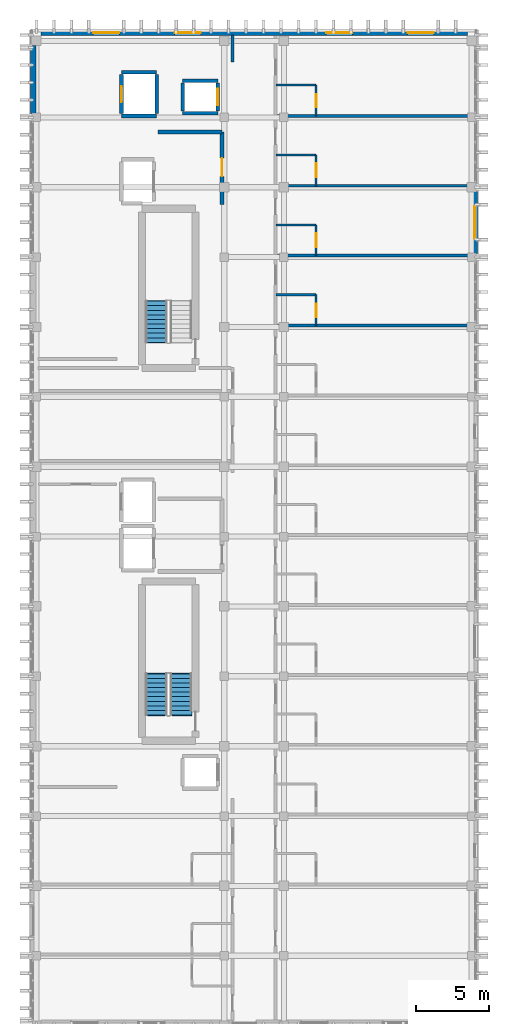
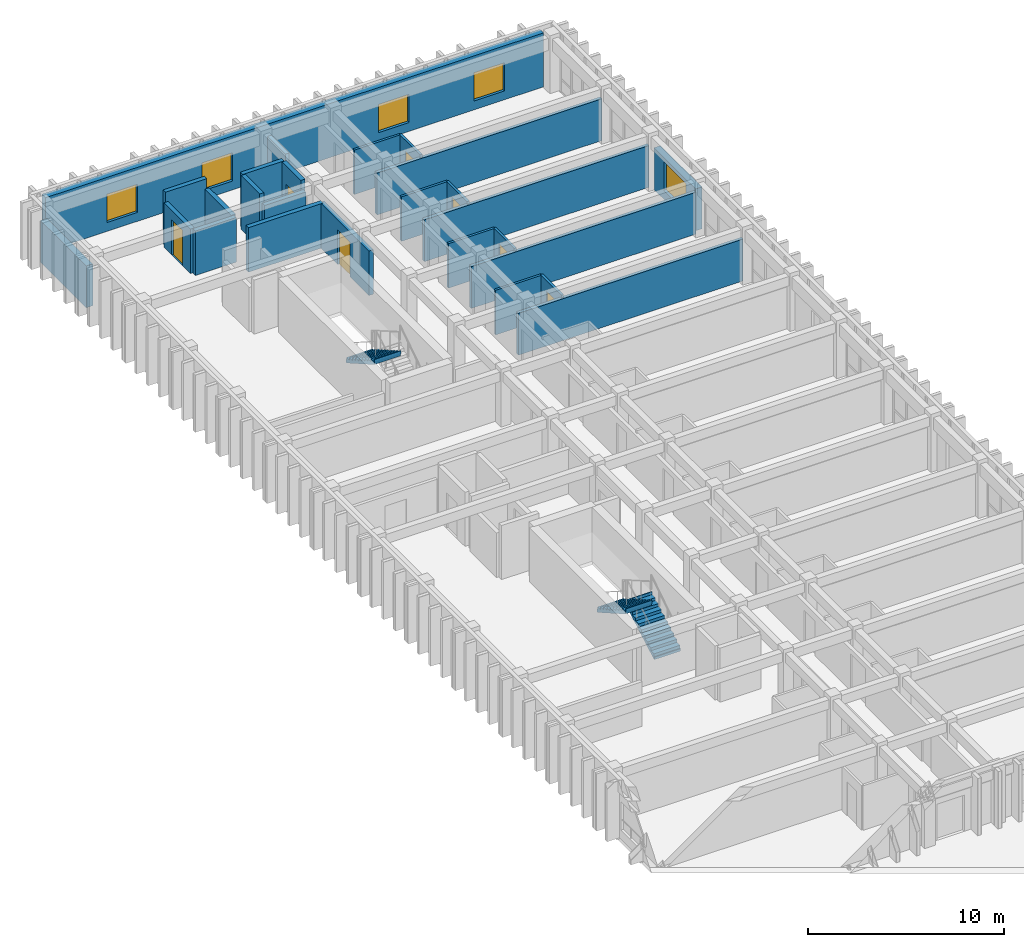
# One storey, part 43 of 49: 26 walls, 7 doors, 5 windows, 3 stair flights, 12 openings, 2 elements without a shape of their own.
"""IFC4 building model written with IfcOpenShell, lengths in metres."""

from ifc_helpers import new_model, si_unit, direction, frame, frame_2d, origin, place, context, subcontext, project, spatial, polyline, rectangle, outline, extrude, material, layer, layer_set, type_object, element, fill, aggregate, save


model = new_model("IFC4")

# Units and contexts
model_context = context("Model", 3, precision=1e-05, world=origin(), true_north=direction((0.0, 1.0)))
body_context = subcontext(model_context, "Body", "Model", "MODEL_VIEW")
ifc_project = project(units=[si_unit("LENGTHUNIT", "METRE"), si_unit("AREAUNIT", "SQUARE_METRE"), si_unit("VOLUMEUNIT", "CUBIC_METRE"), si_unit("PLANEANGLEUNIT", "RADIAN"), si_unit("MASSUNIT", "GRAM", prefix="KILO")], contexts=[model_context])

# Site, building, storey
site_placement = place(None, origin())
site = spatial("IfcSite", under=ifc_project, at=site_placement, CompositionType="ELEMENT")
building_placement = place(site_placement, origin())
building = spatial("IfcBuilding", under=site, at=building_placement, Name="Nakhvara Creek Congress Hotel", CompositionType="ELEMENT")
storey_placement = place(building_placement, frame((0.0, 0.0, 39.0)))
storey = spatial("IfcBuildingStorey", under=building, at=storey_placement, Name="L09", CompositionType="ELEMENT", Elevation=39.0)

# Wall
ifc_material_1 = material(Name="Gypsum acoustic board on steel stud", Category="steel")
ifc_layer_1 = layer(ifc_material_1, 0.219970703125)
ifc_layer_set_1 = layer_set([ifc_layer_1], Name="Gypsum acoustic board on steel stud")
wall_type_1 = type_object("IfcWallType", Name="W-CORR-220", PredefinedType="PARTITIONING", material=ifc_layer_set_1)
wall_1_placement = place(storey_placement, frame((162.919921875, 123.800048828125, 0.0), z_axis=(0.0, 0.0, 1.0), x_axis=(0.0, 1.0, 0.0)))
element("IfcWall", 1, at=wall_1_placement, inside=storey, type_object=wall_type_1, Name="Interior Wall WP11-IW-L09-0648", PredefinedType="PARTITIONING", context=body_context, shape_type="SweptSolid", body=[
    extrude(rectangle(XDim=1.849853515625, YDim=0.219970703125, at=frame_2d((0.9248046875, 0.0))), origin(), (0.0, 0.0, 1.0), 2.60205078125),
])

# Wall, opening, door
ifc_material_2 = material(Name="Moisture-resistant gypsum board partition")
ifc_layer_2 = layer(ifc_material_2, 0.139892578125)
ifc_layer_set_2 = layer_set([ifc_layer_2], Name="Moisture-resistant gypsum board partition")
wall_type_2 = type_object("IfcWallType", Name="W-ENS-140", PredefinedType="PARTITIONING", material=ifc_layer_set_2)
wall_2_placement = place(storey_placement, frame((168.669921875, 105.699951171875, 0.0), z_axis=(0.0, 0.0, 1.0), x_axis=(0.0, 1.0, 0.0)))
wall_2 = element("IfcWall", 2, at=wall_2_placement, inside=storey, type_object=wall_type_2, Name="Interior Wall WP15-IW-L09-0690", PredefinedType="PARTITIONING", context=body_context, shape_type="SweptSolid", body=[
    extrude(rectangle(XDim=2.115966796875, YDim=0.139892578125, at=frame_2d((1.05810546875, 0.0))), origin(), (0.0, 0.0, 1.0), 2.77197265625),
])
opening_1_placement = place(wall_2_placement, frame((0.5830078125, 0.0, 0.0)))
opening_1 = element("IfcOpeningElement", 3, at=opening_1_placement, cuts=wall_2, Name="Opening ID01", PredefinedType="OPENING", context=body_context, shape_type="SweptSolid", body=[
    extrude(rectangle(XDim=0.919921875, YDim=2.10009765625, at=frame_2d((0.4599609375, 1.050048828125))), frame((0.0, 0.08203125, 0.0), z_axis=(0.0, -1.0, 0.0), x_axis=(1.0, 0.0, 0.0)), (0.0, 0.0, 1.0), 0.163818359375),
])
ifc_material_3 = material(Name="Moisture-resistant walnut timber door", Category="wood")
door_type_1 = type_object("IfcDoorType", Name="DT-ENS-092", OperationType="NOTDEFINED", PredefinedType="DOOR", material=ifc_material_3)
door_1_placement = place(opening_1_placement, frame((0.919921875, 0.0, 0.0), z_axis=(0.0, 0.0, 1.0), x_axis=(-1.0, 0.0, 0.0)))
door_1 = element("IfcDoor", 4, at=door_1_placement, inside=storey, type_object=door_type_1, Name="Interior Door ID01-0503", OperationType="SINGLE_SWING_RIGHT", OverallHeight=2.10009765625, OverallWidth=0.919921875, PredefinedType="DOOR", context=body_context, shape_type="SweptSolid", body=[
    extrude(rectangle(XDim=0.919921875, YDim=2.10009765625, at=frame_2d((0.4599609375, 1.050048828125))), frame((0.0, 0.02490234375, 0.0), z_axis=(0.0, -1.0, 0.0), x_axis=(1.0, 0.0, 0.0)), (0.0, 0.0, 1.0), 0.050048828125),
])
fill(opening_1, door_1)

# Wall
wall_3_placement = place(storey_placement, frame((165.919921875, 107.81591796875, 0.0), z_axis=(0.0, 0.0, 1.0), x_axis=(1.0, 0.0, 0.0)))
element("IfcWall", 5, at=wall_3_placement, inside=storey, type_object=wall_type_2, Name="Interior Wall WP15-IW-L09-0691", PredefinedType="PARTITIONING", context=body_context, shape_type="SweptSolid", body=[
    extrude(rectangle(XDim=2.75, YDim=0.139892578125, at=frame_2d((1.375, 0.0))), origin(), (0.0, 0.0, 1.0), 2.77197265625),
])

# Wall, opening, door
wall_4_placement = place(storey_placement, frame((168.669921875, 110.5, 0.0), z_axis=(0.0, 0.0, 1.0), x_axis=(0.0, 1.0, 0.0)))
wall_4 = element("IfcWall", 6, at=wall_4_placement, inside=storey, type_object=wall_type_2, Name="Interior Wall WP15-IW-L09-0693", PredefinedType="PARTITIONING", context=body_context, shape_type="SweptSolid", body=[
    extrude(rectangle(XDim=2.115966796875, YDim=0.139892578125, at=frame_2d((1.05810546875, 0.0))), origin(), (0.0, 0.0, 1.0), 2.77197265625),
])
opening_2_placement = place(wall_4_placement, frame((0.5830078125, 0.0, 0.0)))
opening_2 = element("IfcOpeningElement", 7, at=opening_2_placement, cuts=wall_4, Name="Opening ID02", PredefinedType="OPENING", context=body_context, shape_type="SweptSolid", body=[
    extrude(rectangle(XDim=0.9599609375, YDim=2.1201171875, at=frame_2d((0.47998046875, 1.06005859375))), frame((0.0, 0.08203125, 0.0), z_axis=(0.0, -1.0, 0.0), x_axis=(1.0, 0.0, 0.0)), (0.0, 0.0, 1.0), 0.163818359375),
])
door_type_2 = type_object("IfcDoorType", Name="DT-ENS-096", OperationType="NOTDEFINED", PredefinedType="DOOR", material=ifc_material_3)
door_2_placement = place(opening_2_placement, frame((0.9599609375, 0.0, 0.0), z_axis=(0.0, 0.0, 1.0), x_axis=(-1.0, 0.0, 0.0)))
door_2 = element("IfcDoor", 8, at=door_2_placement, inside=storey, type_object=door_type_2, Name="Interior Door ID02-0505", OperationType="SINGLE_SWING_RIGHT", OverallHeight=2.1201171875, OverallWidth=0.9599609375, PredefinedType="DOOR", context=body_context, shape_type="SweptSolid", body=[
    extrude(rectangle(XDim=0.9599609375, YDim=2.1201171875, at=frame_2d((0.47998046875, 1.06005859375))), frame((0.0, 0.02490234375, 0.0), z_axis=(0.0, -1.0, 0.0), x_axis=(1.0, 0.0, 0.0)), (0.0, 0.0, 1.0), 0.050048828125),
])
fill(opening_2, door_2)

# Wall
wall_5_placement = place(storey_placement, frame((165.919921875, 112.615966796875, 0.0), z_axis=(0.0, 0.0, 1.0), x_axis=(1.0, 0.0, 0.0)))
element("IfcWall", 9, at=wall_5_placement, inside=storey, type_object=wall_type_2, Name="Interior Wall WP15-IW-L09-0694", PredefinedType="PARTITIONING", context=body_context, shape_type="SweptSolid", body=[
    extrude(rectangle(XDim=2.75, YDim=0.139892578125, at=frame_2d((1.375, 0.0))), origin(), (0.0, 0.0, 1.0), 2.77197265625),
])

# Wall, opening, door
wall_6_placement = place(storey_placement, frame((168.669921875, 115.300048828125, 0.0), z_axis=(0.0, 0.0, 1.0), x_axis=(0.0, 1.0, 0.0)))
wall_6 = element("IfcWall", 10, at=wall_6_placement, inside=storey, type_object=wall_type_2, Name="Interior Wall WP15-IW-L09-0696", PredefinedType="PARTITIONING", context=body_context, shape_type="SweptSolid", body=[
    extrude(rectangle(XDim=2.115966796875, YDim=0.139892578125, at=frame_2d((1.05810546875, 0.0))), origin(), (0.0, 0.0, 1.0), 2.77197265625),
])
opening_3_placement = place(wall_6_placement, frame((0.5830078125, 0.0, 0.0)))
opening_3 = element("IfcOpeningElement", 11, at=opening_3_placement, cuts=wall_6, Name="Opening ID02", PredefinedType="OPENING", context=body_context, shape_type="SweptSolid", body=[
    extrude(rectangle(XDim=0.9599609375, YDim=2.1201171875, at=frame_2d((0.47998046875, 1.06005859375))), frame((0.0, 0.08203125, 0.0), z_axis=(0.0, -1.0, 0.0), x_axis=(1.0, 0.0, 0.0)), (0.0, 0.0, 1.0), 0.163818359375),
])
door_3_placement = place(opening_3_placement, frame((0.9599609375, 0.0, 0.0), z_axis=(0.0, 0.0, 1.0), x_axis=(-1.0, 0.0, 0.0)))
door_3 = element("IfcDoor", 12, at=door_3_placement, inside=storey, type_object=door_type_2, Name="Interior Door ID02-0507", OperationType="SINGLE_SWING_RIGHT", OverallHeight=2.1201171875, OverallWidth=0.9599609375, PredefinedType="DOOR", context=body_context, shape_type="SweptSolid", body=[
    extrude(rectangle(XDim=0.9599609375, YDim=2.1201171875, at=frame_2d((0.47998046875, 1.06005859375))), frame((0.0, 0.02490234375, 0.0), z_axis=(0.0, -1.0, 0.0), x_axis=(1.0, 0.0, 0.0)), (0.0, 0.0, 1.0), 0.050048828125),
])
fill(opening_3, door_3)

# Wall
wall_7_placement = place(storey_placement, frame((165.919921875, 117.416015625, 0.0), z_axis=(0.0, 0.0, 1.0), x_axis=(1.0, 0.0, 0.0)))
element("IfcWall", 13, at=wall_7_placement, inside=storey, type_object=wall_type_2, Name="Interior Wall WP15-IW-L09-0697", PredefinedType="PARTITIONING", context=body_context, shape_type="SweptSolid", body=[
    extrude(rectangle(XDim=2.75, YDim=0.139892578125, at=frame_2d((1.375, 0.0))), origin(), (0.0, 0.0, 1.0), 2.77197265625),
])

# Wall, opening, door
wall_8_placement = place(storey_placement, frame((168.669921875, 120.10009765625, 0.0), z_axis=(0.0, 0.0, 1.0), x_axis=(0.0, 1.0, 0.0)))
wall_8 = element("IfcWall", 14, at=wall_8_placement, inside=storey, type_object=wall_type_2, Name="Interior Wall WP15-IW-L09-0699", PredefinedType="PARTITIONING", context=body_context, shape_type="SweptSolid", body=[
    extrude(rectangle(XDim=2.115966796875, YDim=0.139892578125, at=frame_2d((1.05810546875, 0.0))), origin(), (0.0, 0.0, 1.0), 2.77197265625),
])
opening_4_placement = place(wall_8_placement, frame((0.5830078125, 0.0, 0.0)))
opening_4 = element("IfcOpeningElement", 15, at=opening_4_placement, cuts=wall_8, Name="Opening ID01", PredefinedType="OPENING", context=body_context, shape_type="SweptSolid", body=[
    extrude(rectangle(XDim=0.919921875, YDim=2.10009765625, at=frame_2d((0.4599609375, 1.050048828125))), frame((0.0, 0.08203125, 0.0), z_axis=(0.0, -1.0, 0.0), x_axis=(1.0, 0.0, 0.0)), (0.0, 0.0, 1.0), 0.163818359375),
])
door_4_placement = place(opening_4_placement, frame((0.919921875, 0.0, 0.0), z_axis=(0.0, 0.0, 1.0), x_axis=(-1.0, 0.0, 0.0)))
door_4 = element("IfcDoor", 16, at=door_4_placement, inside=storey, type_object=door_type_1, Name="Interior Door ID01-0509", OperationType="SINGLE_SWING_RIGHT", OverallHeight=2.10009765625, OverallWidth=0.919921875, PredefinedType="DOOR", context=body_context, shape_type="SweptSolid", body=[
    extrude(rectangle(XDim=0.919921875, YDim=2.10009765625, at=frame_2d((0.4599609375, 1.050048828125))), frame((0.0, 0.02490234375, 0.0), z_axis=(0.0, -1.0, 0.0), x_axis=(1.0, 0.0, 0.0)), (0.0, 0.0, 1.0), 0.050048828125),
])
fill(opening_4, door_4)

# Wall
wall_9_placement = place(storey_placement, frame((165.919921875, 122.216064453125, 0.0), z_axis=(0.0, 0.0, 1.0), x_axis=(1.0, 0.0, 0.0)))
element("IfcWall", 17, at=wall_9_placement, inside=storey, type_object=wall_type_2, Name="Interior Wall WP15-IW-L09-0700", PredefinedType="PARTITIONING", context=body_context, shape_type="SweptSolid", body=[
    extrude(rectangle(XDim=2.75, YDim=0.139892578125, at=frame_2d((1.375, 0.0))), origin(), (0.0, 0.0, 1.0), 2.77197265625),
])

# Wall, openings, windows
ifc_material_4 = material(Name="Honed pale Omani limestone cladding", Category="masonry")
ifc_layer_3 = layer(ifc_material_4, 0.050048828125)
ifc_material_5 = material(Name="Mineral wool thermal insulation")
ifc_layer_4 = layer(ifc_material_5, 0.110107421875)
ifc_material_6 = material(Name="Precast concrete C40/50", Category="concrete")
ifc_layer_5 = layer(ifc_material_6, 0.219970703125)
ifc_layer_set_3 = layer_set([ifc_layer_3, ifc_layer_4, ifc_layer_5], Name="Precast concrete C40/50")
wall_type_3 = type_object("IfcWallType", Name="W-EXT-380", PredefinedType="SOLIDWALL", material=ifc_layer_set_3)
wall_10_placement = place(storey_placement, frame((149.75, 125.81005859375, 0.0), z_axis=(0.0, 0.0, 1.0), x_axis=(1.0, 0.0, 0.0)))
wall_10 = element("IfcWall", 18, at=wall_10_placement, inside=storey, type_object=wall_type_3, Name="Exterior Wall WE03-EW-L09-0200", PredefinedType="SOLIDWALL", context=body_context, shape_type="SweptSolid", body=[
    extrude(rectangle(XDim=29.300048828125, YDim=0.3798828125, at=frame_2d((14.64990234375, 0.0))), origin(), (0.0, 0.0, 1.0), 3.360107421875),
])
opening_5_placement = place(wall_10_placement, frame((3.60009765625, 0.0, 0.550048828125)))
opening_5 = element("IfcOpeningElement", 19, at=opening_5_placement, cuts=wall_10, Name="Opening WN0215", PredefinedType="OPENING", context=body_context, shape_type="SweptSolid", body=[
    extrude(rectangle(XDim=1.800048828125, YDim=1.760009765625, at=frame_2d((0.89990234375, 0.8798828125))), frame((0.0, 0.201904296875, 0.0), z_axis=(0.0, -1.0, 0.0), x_axis=(1.0, 0.0, 0.0)), (0.0, 0.0, 1.0), 0.40380859375),
])
opening_6_placement = place(wall_10_placement, frame((9.199951171875, 0.0, 0.550048828125)))
opening_6 = element("IfcOpeningElement", 20, at=opening_6_placement, cuts=wall_10, Name="Opening WN0216", PredefinedType="OPENING", context=body_context, shape_type="SweptSolid", body=[
    extrude(rectangle(XDim=1.800048828125, YDim=1.760009765625, at=frame_2d((0.89990234375, 0.8798828125))), frame((0.0, 0.201904296875, 0.0), z_axis=(0.0, -1.0, 0.0), x_axis=(1.0, 0.0, 0.0)), (0.0, 0.0, 1.0), 0.40380859375),
])
opening_7_placement = place(wall_10_placement, frame((19.60009765625, 0.0, 0.550048828125)))
opening_7 = element("IfcOpeningElement", 21, at=opening_7_placement, cuts=wall_10, Name="Opening WN0217", PredefinedType="OPENING", context=body_context, shape_type="SweptSolid", body=[
    extrude(rectangle(XDim=1.800048828125, YDim=1.760009765625, at=frame_2d((0.89990234375, 0.8798828125))), frame((0.0, 0.201904296875, 0.0), z_axis=(0.0, -1.0, 0.0), x_axis=(1.0, 0.0, 0.0)), (0.0, 0.0, 1.0), 0.40380859375),
])
opening_8_placement = place(wall_10_placement, frame((25.199951171875, 0.0, 0.550048828125)))
opening_8 = element("IfcOpeningElement", 22, at=opening_8_placement, cuts=wall_10, Name="Opening WN0218", PredefinedType="OPENING", context=body_context, shape_type="SweptSolid", body=[
    extrude(rectangle(XDim=1.800048828125, YDim=1.760009765625, at=frame_2d((0.89990234375, 0.8798828125))), frame((0.0, 0.201904296875, 0.0), z_axis=(0.0, -1.0, 0.0), x_axis=(1.0, 0.0, 0.0)), (0.0, 0.0, 1.0), 0.40380859375),
])
ifc_material_7 = material(Name="Thermally broken bronze-anodised aluminium and double-silver low-E insulated glass", Category="aluminium")
window_type_1 = type_object("IfcWindowType", Name="WN-LAN-180X225", PartitioningType="SINGLE_PANEL", PredefinedType="WINDOW", material=ifc_material_7)
window_1_placement = place(opening_5_placement, origin())
window_1 = element("IfcWindow", 23, at=window_1_placement, inside=storey, type_object=window_type_1, Name="Facade Window WN0215", OverallHeight=1.760009765625, OverallWidth=1.800048828125, PartitioningType="SINGLE_PANEL", PredefinedType="WINDOW", context=body_context, shape_type="SweptSolid", body=[
    extrude(rectangle(XDim=1.800048828125, YDim=1.760009765625, at=frame_2d((0.89990234375, 0.8798828125))), frame((0.0, 0.030029296875, 0.0), z_axis=(0.0, -1.0, 0.0), x_axis=(1.0, 0.0, 0.0)), (0.0, 0.0, 1.0), 0.06005859375),
])
fill(opening_5, window_1)
window_2_placement = place(opening_6_placement, origin())
window_2 = element("IfcWindow", 24, at=window_2_placement, inside=storey, type_object=window_type_1, Name="Facade Window WN0216", OverallHeight=1.760009765625, OverallWidth=1.800048828125, PartitioningType="SINGLE_PANEL", PredefinedType="WINDOW", context=body_context, shape_type="SweptSolid", body=[
    extrude(rectangle(XDim=1.800048828125, YDim=1.760009765625, at=frame_2d((0.89990234375, 0.8798828125))), frame((0.0, 0.030029296875, 0.0), z_axis=(0.0, -1.0, 0.0), x_axis=(1.0, 0.0, 0.0)), (0.0, 0.0, 1.0), 0.06005859375),
])
fill(opening_6, window_2)
window_3_placement = place(opening_7_placement, origin())
window_3 = element("IfcWindow", 25, at=window_3_placement, inside=storey, type_object=window_type_1, Name="Facade Window WN0217", OverallHeight=1.760009765625, OverallWidth=1.800048828125, PartitioningType="SINGLE_PANEL", PredefinedType="WINDOW", context=body_context, shape_type="SweptSolid", body=[
    extrude(rectangle(XDim=1.800048828125, YDim=1.760009765625, at=frame_2d((0.89990234375, 0.8798828125))), frame((0.0, 0.030029296875, 0.0), z_axis=(0.0, -1.0, 0.0), x_axis=(1.0, 0.0, 0.0)), (0.0, 0.0, 1.0), 0.06005859375),
])
fill(opening_7, window_3)
window_4_placement = place(opening_8_placement, origin())
window_4 = element("IfcWindow", 26, at=window_4_placement, inside=storey, type_object=window_type_1, Name="Facade Window WN0218", OverallHeight=1.760009765625, OverallWidth=1.800048828125, PartitioningType="SINGLE_PANEL", PredefinedType="WINDOW", context=body_context, shape_type="SweptSolid", body=[
    extrude(rectangle(XDim=1.800048828125, YDim=1.760009765625, at=frame_2d((0.89990234375, 0.8798828125))), frame((0.0, 0.030029296875, 0.0), z_axis=(0.0, -1.0, 0.0), x_axis=(1.0, 0.0, 0.0)), (0.0, 0.0, 1.0), 0.06005859375),
])
fill(opening_8, window_4)

# Wall, opening, window
wall_11_placement = place(storey_placement, frame((179.56005859375, 114.89990234375, 0.0), z_axis=(0.0, 0.0, 1.0), x_axis=(0.0, -1.0, 0.0)))
wall_11 = element("IfcWall", 27, at=wall_11_placement, inside=storey, type_object=wall_type_3, Name="Exterior Wall WE03-EW-L09-0209", PredefinedType="SOLIDWALL", context=body_context, shape_type="SweptSolid", body=[
    extrude(rectangle(XDim=4.23486328125, YDim=0.3798828125, at=frame_2d((2.117431640625, 0.0))), origin(), (0.0, 0.0, 1.0), 2.60205078125),
])
opening_9_placement = place(wall_11_placement, frame((0.992431640625, 0.0, 0.550048828125)))
opening_9 = element("IfcOpeningElement", 28, at=opening_9_placement, cuts=wall_11, Name="Opening WN0227", PredefinedType="OPENING", context=body_context, shape_type="SweptSolid", body=[
    extrude(rectangle(XDim=2.25, YDim=1.7900390625, at=frame_2d((1.125, 0.89501953125))), frame((0.0, 0.201904296875, 0.0), z_axis=(0.0, -1.0, 0.0), x_axis=(1.0, 0.0, 0.0)), (0.0, 0.0, 1.0), 0.40380859375),
])
window_type_2 = type_object("IfcWindowType", Name="WN-LAN-225X235", PartitioningType="SINGLE_PANEL", PredefinedType="WINDOW", material=ifc_material_7)
window_5_placement = place(opening_9_placement, origin())
window_5 = element("IfcWindow", 29, at=window_5_placement, inside=storey, type_object=window_type_2, Name="Facade Window WN0227", OverallHeight=1.7900390625, OverallWidth=2.25, PartitioningType="SINGLE_PANEL", PredefinedType="WINDOW", context=body_context, shape_type="SweptSolid", body=[
    extrude(rectangle(XDim=2.25, YDim=1.7900390625, at=frame_2d((1.125, 0.89501953125))), frame((0.0, 0.030029296875, 0.0), z_axis=(0.0, -1.0, 0.0), x_axis=(1.0, 0.0, 0.0)), (0.0, 0.0, 1.0), 0.06005859375),
])
fill(opening_9, window_5)

# Wall
wall_12_placement = place(storey_placement, frame((149.239990234375, 120.264892578125, 0.0), z_axis=(0.0, 0.0, 1.0), x_axis=(0.0, 1.0, 0.0)))
element("IfcWall", 30, at=wall_12_placement, inside=storey, type_object=wall_type_3, Name="Exterior Wall WE03-EW-L09-0210", PredefinedType="SOLIDWALL", context=body_context, shape_type="SweptSolid", body=[
    extrude(rectangle(XDim=4.68505859375, YDim=0.3798828125, at=frame_2d((2.342529296875, 0.0))), origin(), (0.0, 0.0, 1.0), 2.60205078125),
])

# Wall, opening, door
ifc_material_8 = material(Name="Concrete C40/50", Category="concrete")
ifc_layer_6 = layer(ifc_material_8, 0.260009765625)
ifc_layer_set_4 = layer_set([ifc_layer_6], Name="Concrete C40/50")
wall_type_4 = type_object("IfcWallType", Name="W-FFL-260", PredefinedType="SOLIDWALL", material=ifc_layer_set_4)
wall_13_placement = place(storey_placement, frame((162.199951171875, 114.0, 0.0), z_axis=(0.0, 0.0, 1.0), x_axis=(0.0, 1.0, 0.0)))
wall_13 = element("IfcWall", 31, at=wall_13_placement, inside=storey, type_object=wall_type_4, Name="Core Shear Wall WI03-CWALL-L09-0482", PredefinedType="SOLIDWALL", context=body_context, shape_type="SweptSolid", body=[
    extrude(rectangle(XDim=5.0, YDim=0.260009765625, at=frame_2d((2.5, 0.0))), origin(), (0.0, 0.0, 1.0), 2.77197265625),
])
opening_10_placement = place(wall_13_placement, frame((1.949951171875, 0.0, 0.0)))
opening_10 = element("IfcOpeningElement", 32, at=opening_10_placement, cuts=wall_13, Name="Opening FD05", PredefinedType="OPENING", context=body_context, shape_type="SweptSolid", body=[
    extrude(rectangle(XDim=1.25, YDim=2.14990234375, at=frame_2d((0.625, 1.074951171875))), frame((0.0, 0.14208984375, 0.0), z_axis=(0.0, -1.0, 0.0), x_axis=(1.0, 0.0, 0.0)), (0.0, 0.0, 1.0), 0.283935546875),
])
ifc_material_9 = material(Name="Hardwood-veneered steel fire door", Category="steel")
door_type_3 = type_object("IfcDoorType", Name="DT-FFL-125", OperationType="NOTDEFINED", PredefinedType="DOOR", material=ifc_material_9)
door_5_placement = place(opening_10_placement, origin())
door_5 = element("IfcDoor", 33, at=door_5_placement, inside=storey, type_object=door_type_3, Name="Firefighting Lobby Door C2-L09", OperationType="DOUBLE_DOOR_SINGLE_SWING", OverallHeight=2.14990234375, OverallWidth=1.25, PredefinedType="DOOR", context=body_context, shape_type="SweptSolid", body=[
    extrude(rectangle(XDim=1.25, YDim=2.14990234375, at=frame_2d((0.625, 1.074951171875))), frame((0.0, 0.02490234375, 0.0), z_axis=(0.0, -1.0, 0.0), x_axis=(1.0, 0.0, 0.0)), (0.0, 0.0, 1.0), 0.050048828125),
])
fill(opening_10, door_5)

# Walls
wall_14_placement = place(storey_placement, frame((157.800048828125, 119.0, 0.0), z_axis=(0.0, 0.0, 1.0), x_axis=(1.0, 0.0, 0.0)))
element("IfcWall", 34, at=wall_14_placement, inside=storey, type_object=wall_type_4, Name="Core Shear Wall WI03-CWALL-L09-0483", PredefinedType="SOLIDWALL", context=body_context, shape_type="SweptSolid", body=[
    extrude(rectangle(XDim=4.39990234375, YDim=0.260009765625, at=frame_2d((2.199951171875, 0.0))), origin(), (0.0, 0.0, 1.0), 2.77197265625),
])
ifc_layer_7 = layer(ifc_material_1, 0.199951171875)
ifc_layer_set_5 = layer_set([ifc_layer_7], Name="Gypsum acoustic board on steel stud")
wall_type_5 = type_object("IfcWallType", Name="W-PART-200", PredefinedType="PARTITIONING", material=ifc_layer_set_5)
for number, where, z_axis, x_axis, name in (
    (35, (166.02001953125, 105.699951171875, 0.0), (0.0, 0.0, 1.0), (1.0, 0.0, 0.0), "Interior Wall WP12-IW-L09-0689"),
    (36, (166.02001953125, 110.5, 0.0), (0.0, 0.0, 1.0), (1.0, 0.0, 0.0), "Interior Wall WP12-IW-L09-0692"),
    (37, (166.02001953125, 115.300048828125, 0.0), (0.0, 0.0, 1.0), (1.0, 0.0, 0.0), "Interior Wall WP12-IW-L09-0695"),
    (38, (166.02001953125, 120.10009765625, 0.0), (0.0, 0.0, 1.0), (1.0, 0.0, 0.0), "Interior Wall WP12-IW-L09-0698"),
):
    element("IfcWall", number, at=place(storey_placement, frame(where, z_axis=z_axis, x_axis=x_axis)), inside=storey, type_object=wall_type_5, Name=name, PredefinedType="PARTITIONING", context=body_context, shape_type="SweptSolid", body=[
        extrude(rectangle(XDim=13.22998046875, YDim=0.199951171875, at=frame_2d((6.614990234375, 0.0))), origin(), (0.0, 0.0, 1.0), 2.60205078125),
    ])
ifc_layer_8 = layer(ifc_material_8, 0.25)
ifc_layer_set_6 = layer_set([ifc_layer_8], Name="Concrete C40/50")
wall_type_6 = type_object("IfcWallType", Name="W-SHAFT-250", PredefinedType="SOLIDWALL", material=ifc_layer_set_6)
wall_15_placement = place(storey_placement, frame((159.489990234375, 120.2900390625, 0.0), z_axis=(0.0, 0.0, 1.0), x_axis=(1.0, 0.0, 0.0)))
element("IfcWall", 39, at=wall_15_placement, inside=storey, type_object=wall_type_6, Name="Core Shear Wall WI02-CWALL-L09-0474", PredefinedType="SOLIDWALL", context=body_context, shape_type="SweptSolid", body=[
    extrude(rectangle(XDim=2.419921875, YDim=0.25, at=frame_2d((1.2099609375, 0.0))), origin(), (0.0, 0.0, 1.0), 2.77197265625),
])
wall_16_placement = place(storey_placement, frame((159.489990234375, 122.510009765625, 0.0), z_axis=(0.0, 0.0, 1.0), x_axis=(1.0, 0.0, 0.0)))
element("IfcWall", 40, at=wall_16_placement, inside=storey, type_object=wall_type_6, Name="Core Shear Wall WI02-CWALL-L09-0475", PredefinedType="SOLIDWALL", context=body_context, shape_type="SweptSolid", body=[
    extrude(rectangle(XDim=2.419921875, YDim=0.25, at=frame_2d((1.2099609375, 0.0))), origin(), (0.0, 0.0, 1.0), 3.360107421875),
])
wall_17_placement = place(storey_placement, frame((159.489990234375, 120.449951171875, 0.0), z_axis=(0.0, 0.0, 1.0), x_axis=(0.0, 1.0, 0.0)))
element("IfcWall", 41, at=wall_17_placement, inside=storey, type_object=wall_type_6, Name="Core Shear Wall WI02-CWALL-L09-0476", PredefinedType="SOLIDWALL", context=body_context, shape_type="SweptSolid", body=[
    extrude(rectangle(XDim=1.900146484375, YDim=0.25, at=frame_2d((0.9501953125, 0.0))), origin(), (0.0, 0.0, 1.0), 3.360107421875),
])

# Wall, opening, door
wall_18_placement = place(storey_placement, frame((161.909912109375, 120.449951171875, 0.0), z_axis=(0.0, 0.0, 1.0), x_axis=(0.0, 1.0, 0.0)))
wall_18 = element("IfcWall", 42, at=wall_18_placement, inside=storey, type_object=wall_type_6, Name="Core Shear Wall WI02-CWALL-L09-0477", PredefinedType="SOLIDWALL", context=body_context, shape_type="SweptSolid", body=[
    extrude(rectangle(XDim=1.900146484375, YDim=0.25, at=frame_2d((0.9501953125, 0.0))), origin(), (0.0, 0.0, 1.0), 3.360107421875),
])
opening_11_placement = place(wall_18_placement, frame((0.39990234375, 0.0, 0.0)))
opening_11 = element("IfcOpeningElement", 43, at=opening_11_placement, cuts=wall_18, Name="Opening LD01", PredefinedType="OPENING", context=body_context, shape_type="SweptSolid", body=[
    extrude(rectangle(XDim=1.10009765625, YDim=2.199951171875, at=frame_2d((0.550048828125, 1.10009765625))), frame((0.0, 0.136962890625, 0.0), z_axis=(0.0, -1.0, 0.0), x_axis=(1.0, 0.0, 0.0)), (0.0, 0.0, 1.0), 0.27392578125),
])
ifc_material_10 = material(Name="Brushed stainless steel sliding landing door", Category="steel")
door_type_4 = type_object("IfcDoorType", Name="DT-LIFT-110", OperationType="DOUBLE_DOOR_SLIDING", PredefinedType="DOOR", material=ifc_material_10)
door_6_placement = place(opening_11_placement, origin())
door_6 = element("IfcDoor", 44, at=door_6_placement, inside=storey, type_object=door_type_4, Name="Landing Door PL01-L09", OperationType="SLIDING_TO_LEFT", OverallHeight=2.199951171875, OverallWidth=1.10009765625, PredefinedType="DOOR", context=body_context, shape_type="SweptSolid", body=[
    extrude(rectangle(XDim=1.10009765625, YDim=2.199951171875, at=frame_2d((0.550048828125, 1.10009765625))), frame((0.0, 0.02490234375, 0.0), z_axis=(0.0, -1.0, 0.0), x_axis=(1.0, 0.0, 0.0)), (0.0, 0.0, 1.0), 0.050048828125),
])
fill(opening_11, door_6)

# Walls
wall_19_placement = place(storey_placement, frame((155.2900390625, 120.090087890625, 0.0), z_axis=(0.0, 0.0, 1.0), x_axis=(1.0, 0.0, 0.0)))
element("IfcWall", 45, at=wall_19_placement, inside=storey, type_object=wall_type_6, Name="Core Shear Wall WI02-CWALL-L09-0478", PredefinedType="SOLIDWALL", context=body_context, shape_type="SweptSolid", body=[
    extrude(rectangle(XDim=2.419921875, YDim=0.25, at=frame_2d((1.2099609375, 0.0))), origin(), (0.0, 0.0, 1.0), 2.77197265625),
])
wall_20_placement = place(storey_placement, frame((155.2900390625, 123.110107421875, 0.0), z_axis=(0.0, 0.0, 1.0), x_axis=(1.0, 0.0, 0.0)))
element("IfcWall", 46, at=wall_20_placement, inside=storey, type_object=wall_type_6, Name="Core Shear Wall WI02-CWALL-L09-0479", PredefinedType="SOLIDWALL", context=body_context, shape_type="SweptSolid", body=[
    extrude(rectangle(XDim=2.419921875, YDim=0.25, at=frame_2d((1.2099609375, 0.0))), origin(), (0.0, 0.0, 1.0), 3.360107421875),
])

# Wall, opening, door
wall_21_placement = place(storey_placement, frame((155.2900390625, 120.25, 0.0), z_axis=(0.0, 0.0, 1.0), x_axis=(0.0, 1.0, 0.0)))
wall_21 = element("IfcWall", 47, at=wall_21_placement, inside=storey, type_object=wall_type_6, Name="Core Shear Wall WI02-CWALL-L09-0480", PredefinedType="SOLIDWALL", context=body_context, shape_type="SweptSolid", body=[
    extrude(rectangle(XDim=2.699951171875, YDim=0.25, at=frame_2d((1.35009765625, 0.0))), origin(), (0.0, 0.0, 1.0), 2.77197265625),
])
opening_12_placement = place(wall_21_placement, frame((0.800048828125, 0.0, 0.0)))
opening_12 = element("IfcOpeningElement", 48, at=opening_12_placement, cuts=wall_21, Name="Opening LD01", PredefinedType="OPENING", context=body_context, shape_type="SweptSolid", body=[
    extrude(rectangle(XDim=1.10009765625, YDim=2.199951171875, at=frame_2d((0.550048828125, 1.10009765625))), frame((0.0, 0.136962890625, 0.0), z_axis=(0.0, -1.0, 0.0), x_axis=(1.0, 0.0, 0.0)), (0.0, 0.0, 1.0), 0.27392578125),
])
door_7_placement = place(opening_12_placement, origin())
door_7 = element("IfcDoor", 49, at=door_7_placement, inside=storey, type_object=door_type_4, Name="Landing Door SL02-L09", OperationType="SLIDING_TO_LEFT", OverallHeight=2.199951171875, OverallWidth=1.10009765625, PredefinedType="DOOR", context=body_context, shape_type="SweptSolid", body=[
    extrude(rectangle(XDim=1.10009765625, YDim=2.199951171875, at=frame_2d((0.550048828125, 1.10009765625))), frame((0.0, 0.02490234375, 0.0), z_axis=(0.0, -1.0, 0.0), x_axis=(1.0, 0.0, 0.0)), (0.0, 0.0, 1.0), 0.050048828125),
])
fill(opening_12, door_7)

# Wall
wall_22_placement = place(storey_placement, frame((157.7099609375, 120.25, 0.0), z_axis=(0.0, 0.0, 1.0), x_axis=(0.0, 1.0, 0.0)))
element("IfcWall", 50, at=wall_22_placement, inside=storey, type_object=wall_type_6, Name="Core Shear Wall WI02-CWALL-L09-0481", PredefinedType="SOLIDWALL", context=body_context, shape_type="SweptSolid", body=[
    extrude(rectangle(XDim=2.699951171875, YDim=0.25, at=frame_2d((1.35009765625, 0.0))), origin(), (0.0, 0.0, 1.0), 2.77197265625),
])

# Stair, stair flights
stair_type = type_object("IfcStairType", Name="ST-CORE-160", PredefinedType="HALF_TURN_STAIR", material=ifc_material_8)
stair_1_placement = place(storey_placement, origin())
stair_1 = element("IfcStair", 51, at=stair_1_placement, inside=storey, type_object=stair_type, Name="L09 Protected Exit Stair ST01", PredefinedType="HALF_TURN_STAIR")
ifc_layer_9 = layer(ifc_material_8, 0.18994140625)
ifc_layer_set_7 = layer_set([ifc_layer_9], Name="Concrete C40/50")
stair_flight_type = type_object("IfcStairFlightType", Name="SFL-RC-160", PredefinedType="STRAIGHT", material=ifc_layer_set_7)
stair_flight_1_placement = place(storey_placement, frame((159.3798828125, 78.93994140625, 0.0), z_axis=(0.0, 0.0, 1.0), x_axis=(0.0, 1.0, 0.0)))
stair_flight_1 = element("IfcStairFlight", 52, at=stair_flight_1_placement, type_object=stair_flight_type, Name="ST01 flight 1", NumberOfRisers=10, NumberOfTreads=9, PredefinedType="STRAIGHT", RiserHeight=0.18, TreadLength=0.315, context=body_context, shape_type="SweptSolid", body=[
    extrude(outline(polyline([(-0.048095703125, 0.0), (0.0, 0.0), (0.0, 0.179931640625), (0.31494140625, 0.179931640625), (0.31494140625, 0.360107421875), (0.6298828125, 0.360107421875), (0.6298828125, 0.5400390625), (0.945068359375, 0.5400390625), (0.945068359375, 0.719970703125), (1.260009765625, 0.719970703125), (1.260009765625, 0.89990234375), (1.574951171875, 0.89990234375), (1.574951171875, 1.080078125), (1.889892578125, 1.080078125), (1.889892578125, 1.260009765625), (2.205078125, 1.260009765625), (2.205078125, 1.43994140625), (2.52001953125, 1.43994140625), (2.52001953125, 1.6201171875), (2.8349609375, 1.6201171875), (2.8349609375, 1.800048828125), (2.883056640625, 1.800048828125), (2.883056640625, 1.650146484375), (2.8349609375, 1.447265625), (0.039794921875, -0.14990234375), (-0.048095703125, -0.14990234375), (-0.048095703125, 0.0)])), frame((0.0, 0.77001953125, 0.0), z_axis=(0.0, -1.0, 0.0), x_axis=(1.0, 0.0, 0.0)), (0.0, 0.0, 1.0), 1.5400390625),
])
stair_flight_2_placement = place(storey_placement, frame((157.68994140625, 81.77490234375, 1.800048828125), z_axis=(0.0, 0.0, 1.0), x_axis=(0.0, -1.0, 0.0)))
stair_flight_2 = element("IfcStairFlight", 53, at=stair_flight_2_placement, type_object=stair_flight_type, Name="ST01 flight 2", NumberOfRisers=10, NumberOfTreads=9, PredefinedType="STRAIGHT", RiserHeight=0.18, TreadLength=0.315, context=body_context, shape_type="SweptSolid", body=[
    extrude(outline(polyline([(-0.048095703125, 0.0), (0.0, 0.0), (0.0, 0.179931640625), (0.31494140625, 0.179931640625), (0.31494140625, 0.360107421875), (0.6298828125, 0.360107421875), (0.6298828125, 0.5400390625), (0.945068359375, 0.5400390625), (0.945068359375, 0.719970703125), (1.260009765625, 0.719970703125), (1.260009765625, 0.89990234375), (1.574951171875, 0.89990234375), (1.574951171875, 1.080078125), (1.889892578125, 1.080078125), (1.889892578125, 1.260009765625), (2.205078125, 1.260009765625), (2.205078125, 1.43994140625), (2.52001953125, 1.43994140625), (2.52001953125, 1.6201171875), (2.8349609375, 1.6201171875), (2.8349609375, 1.800048828125), (2.883056640625, 1.800048828125), (2.883056640625, 1.650146484375), (2.8349609375, 1.447265625), (0.039794921875, -0.14990234375), (-0.048095703125, -0.14990234375), (-0.048095703125, 0.0)])), frame((0.0, 0.77001953125, 0.0), z_axis=(0.0, -1.0, 0.0), x_axis=(1.0, 0.0, 0.0)), (0.0, 0.0, 1.0), 1.5400390625),
])
aggregate(stair_1, [stair_flight_1, stair_flight_2])

# Stair, stair flight
stair_2_placement = place(storey_placement, origin())
stair_2 = element("IfcStair", 54, at=stair_2_placement, inside=storey, type_object=stair_type, Name="L09 Protected Exit Stair ST02", PredefinedType="HALF_TURN_STAIR")
stair_flight_3_placement = place(storey_placement, frame((157.68994140625, 107.375, 1.800048828125), z_axis=(0.0, 0.0, 1.0), x_axis=(0.0, -1.0, 0.0)))
stair_flight_3 = element("IfcStairFlight", 55, at=stair_flight_3_placement, type_object=stair_flight_type, Name="ST02 flight 2", NumberOfRisers=10, NumberOfTreads=9, PredefinedType="STRAIGHT", RiserHeight=0.18, TreadLength=0.315, context=body_context, shape_type="SweptSolid", body=[
    extrude(outline(polyline([(-0.048095703125, 0.0), (0.0, 0.0), (0.0, 0.179931640625), (0.31494140625, 0.179931640625), (0.31494140625, 0.360107421875), (0.6298828125, 0.360107421875), (0.6298828125, 0.5400390625), (0.945068359375, 0.5400390625), (0.945068359375, 0.719970703125), (1.260009765625, 0.719970703125), (1.260009765625, 0.89990234375), (1.574951171875, 0.89990234375), (1.574951171875, 1.080078125), (1.889892578125, 1.080078125), (1.889892578125, 1.260009765625), (2.205078125, 1.260009765625), (2.205078125, 1.43994140625), (2.52001953125, 1.43994140625), (2.52001953125, 1.6201171875), (2.8349609375, 1.6201171875), (2.8349609375, 1.800048828125), (2.883056640625, 1.800048828125), (2.883056640625, 1.650146484375), (2.8349609375, 1.447265625), (0.039794921875, -0.14990234375), (-0.048095703125, -0.14990234375), (-0.048095703125, 0.0)])), frame((0.0, 0.77001953125, 0.0), z_axis=(0.0, -1.0, 0.0), x_axis=(1.0, 0.0, 0.0)), (0.0, 0.0, 1.0), 1.5400390625),
])
aggregate(stair_2, [stair_flight_3])

save(model, "model.ifc")
